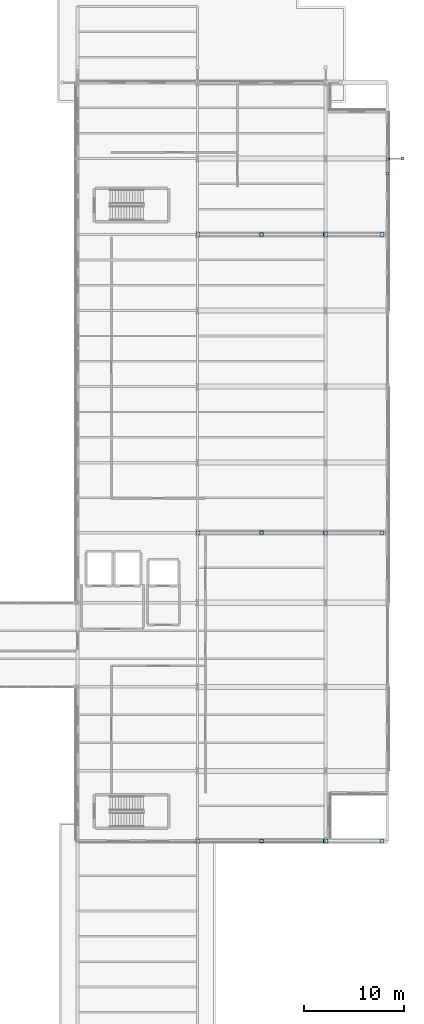
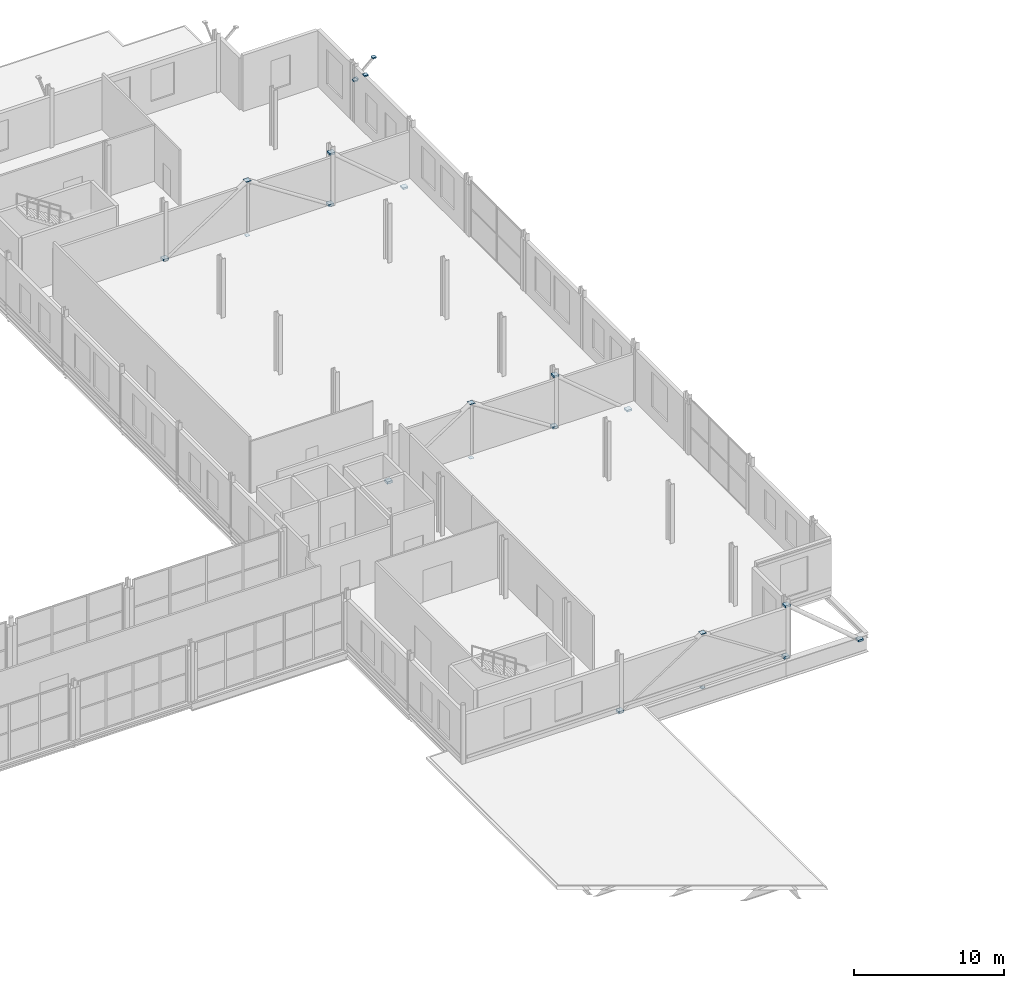
# One storey, part 90 of 120: 22 plates.
"""IFC4 building model written with IfcOpenShell, lengths in metres."""

from ifc_helpers import new_model, si_unit, direction, frame, origin, origin_2d, place, context, subcontext, project, spatial, rectangle, extrude, material, layer, layer_set, type_object, element, save


model = new_model("IFC4")

# Units and contexts
model_context = context("Model", 3, precision=1e-05, world=origin(), true_north=direction((0.0, 1.0)))
body_context = subcontext(model_context, "Body", "Model", "MODEL_VIEW")
ifc_project = project(units=[si_unit("LENGTHUNIT", "METRE"), si_unit("AREAUNIT", "SQUARE_METRE"), si_unit("VOLUMEUNIT", "CUBIC_METRE"), si_unit("PLANEANGLEUNIT", "RADIAN"), si_unit("MASSUNIT", "GRAM", prefix="KILO")], contexts=[model_context])

# Site, building, storey
site_placement = place(None, origin())
site = spatial("IfcSite", under=ifc_project, at=site_placement, CompositionType="ELEMENT")
building_placement = place(site_placement, origin())
building = spatial("IfcBuilding", under=site, at=building_placement, Name="Vekula Escarpment Museum", CompositionType="ELEMENT")
storey_placement = place(building_placement, frame((0.0, 0.0, 13.199951171875)))
storey = spatial("IfcBuildingStorey", under=building, at=storey_placement, Name="L03", CompositionType="ELEMENT", Elevation=13.199951171875)

# Plates
ifc_material_1 = material(Name="Steel S355", Category="steel")
ifc_layer_1 = layer(ifc_material_1, 0.01611328125)
ifc_layer_set_1 = layer_set([ifc_layer_1], Name="Steel S355")
plate_type_1 = type_object("IfcPlateType", Name="PL-CAP-16", PredefinedType="SHEET", material=ifc_layer_set_1)
for number, where, z_axis, x_axis, name in (
    (1, (185.39990234375, 52.60009765625, -0.315185546875), (0.0, 0.0, 1.0), (1.0, 0.0, 0.0), "Hollow section end cap CP-16"),
    (2, (185.39990234375, 83.39990234375, -0.315185546875), (0.0, 0.0, 1.0), (1.0, 0.0, 0.0), "Hollow section end cap CP-16"),
    (3, (185.39990234375, 113.199951171875, -0.315185546875), (0.0, 0.0, 1.0), (1.0, 0.0, 0.0), "Hollow section end cap CP-16"),
):
    element("IfcPlate", number, at=place(storey_placement, frame(where, z_axis=z_axis, x_axis=x_axis)), inside=storey, type_object=plate_type_1, Name=name, PredefinedType="SHEET", context=body_context, shape_type="SweptSolid", body=[
        extrude(rectangle(XDim=0.300048828125, YDim=0.300048828125, at=origin_2d()), origin(), (0.0, 0.0, 1.0), 0.01611328125),
    ])
for number, where, z_axis, x_axis, name in (
    (4, (198.11474609375, 120.800048828125, 3.294189453125), (0.0, 0.0, 1.0), (1.0, 0.0, 0.0), "Hollow section end cap CP-16"),
    (5, (199.50537109375, 120.800048828125, 4.56396484375), (0.0, 0.0, 1.0), (1.0, 0.0, 0.0), "Hollow section end cap CP-16"),
    (6, (198.0, 120.685302734375, 3.294189453125), (0.0, 0.0, 1.0), (1.0, 0.0, 0.0), "Hollow section end cap CP-16"),
    (7, (198.0, 119.294677734375, 4.56396484375), (0.0, 0.0, 1.0), (1.0, 0.0, 0.0), "Hollow section end cap CP-16"),
):
    element("IfcPlate", number, at=place(storey_placement, frame(where, z_axis=z_axis, x_axis=x_axis)), inside=storey, type_object=plate_type_1, Name=name, PredefinedType="SHEET", context=body_context, shape_type="SweptSolid", body=[
        extrude(rectangle(XDim=0.280029296875, YDim=0.280029296875, at=origin_2d()), origin(), (0.0, 0.0, 1.0), 0.10205078125),
    ])
ifc_material_2 = material(Name="Steel S355", Category="steel")
ifc_layer_2 = layer(ifc_material_2, 0.02001953125)
ifc_layer_set_2 = layer_set([ifc_layer_2], Name="Steel S355")
plate_type_2 = type_object("IfcPlateType", Name="PL-CAP-20", PredefinedType="SHEET", material=ifc_layer_set_2)
for number, where, z_axis, x_axis, name in (
    (8, (191.84326171875, 52.60009765625, 4.08056640625), (0.0, 0.0, 1.0), (1.0, 0.0, 0.0), "Hollow section end cap CP-20"),
    (9, (197.456787109375, 52.60009765625, -0.68115234375), (0.0, 0.0, 1.0), (1.0, 0.0, 0.0), "Hollow section end cap CP-20"),
):
    element("IfcPlate", number, at=place(storey_placement, frame(where, z_axis=z_axis, x_axis=x_axis)), inside=storey, type_object=plate_type_2, Name=name, PredefinedType="SHEET", context=body_context, shape_type="SweptSolid", body=[
        extrude(rectangle(XDim=0.389892578125, YDim=0.389892578125, at=origin_2d()), origin(), (0.0, 0.0, 1.0), 0.150634765625),
    ])
for number, where, z_axis, x_axis, name in (
    (10, (179.04248046875, 52.60009765625, -0.0791015625), (0.0, 0.0, 1.0), (1.0, 0.0, 0.0), "Hollow section end cap CP-20"),
    (11, (191.757568359375, 52.60009765625, -0.0791015625), (0.0, 0.0, 1.0), (1.0, 0.0, 0.0), "Hollow section end cap CP-20"),
):
    element("IfcPlate", number, at=place(storey_placement, frame(where, z_axis=z_axis, x_axis=x_axis)), inside=storey, type_object=plate_type_2, Name=name, PredefinedType="SHEET", context=body_context, shape_type="SweptSolid", body=[
        extrude(rectangle(XDim=0.389892578125, YDim=0.389892578125, at=origin_2d()), origin(), (0.0, 0.0, 1.0), 0.188232421875),
    ])
for number, where, z_axis, x_axis, name in (
    (12, (191.84326171875, 83.39990234375, 4.08056640625), (0.0, 0.0, 1.0), (1.0, 0.0, 0.0), "Hollow section end cap CP-20"),
    (13, (197.456787109375, 83.39990234375, -0.68115234375), (0.0, 0.0, 1.0), (1.0, 0.0, 0.0), "Hollow section end cap CP-20"),
):
    element("IfcPlate", number, at=place(storey_placement, frame(where, z_axis=z_axis, x_axis=x_axis)), inside=storey, type_object=plate_type_2, Name=name, PredefinedType="SHEET", context=body_context, shape_type="SweptSolid", body=[
        extrude(rectangle(XDim=0.389892578125, YDim=0.389892578125, at=origin_2d()), origin(), (0.0, 0.0, 1.0), 0.150634765625),
    ])
for number, where, z_axis, x_axis, name in (
    (14, (179.04248046875, 83.39990234375, -0.0791015625), (0.0, 0.0, 1.0), (1.0, 0.0, 0.0), "Hollow section end cap CP-20"),
    (15, (191.757568359375, 83.39990234375, -0.0791015625), (0.0, 0.0, 1.0), (1.0, 0.0, 0.0), "Hollow section end cap CP-20"),
):
    element("IfcPlate", number, at=place(storey_placement, frame(where, z_axis=z_axis, x_axis=x_axis)), inside=storey, type_object=plate_type_2, Name=name, PredefinedType="SHEET", context=body_context, shape_type="SweptSolid", body=[
        extrude(rectangle(XDim=0.389892578125, YDim=0.389892578125, at=origin_2d()), origin(), (0.0, 0.0, 1.0), 0.188232421875),
    ])
for number, where, z_axis, x_axis, name in (
    (16, (191.84326171875, 113.199951171875, 4.08056640625), (0.0, 0.0, 1.0), (1.0, 0.0, 0.0), "Hollow section end cap CP-20"),
    (17, (197.456787109375, 113.199951171875, -0.68115234375), (0.0, 0.0, 1.0), (1.0, 0.0, 0.0), "Hollow section end cap CP-20"),
):
    element("IfcPlate", number, at=place(storey_placement, frame(where, z_axis=z_axis, x_axis=x_axis)), inside=storey, type_object=plate_type_2, Name=name, PredefinedType="SHEET", context=body_context, shape_type="SweptSolid", body=[
        extrude(rectangle(XDim=0.389892578125, YDim=0.389892578125, at=origin_2d()), origin(), (0.0, 0.0, 1.0), 0.150634765625),
    ])
for number, where, z_axis, x_axis, name in (
    (18, (179.04248046875, 113.199951171875, -0.0791015625), (0.0, 0.0, 1.0), (1.0, 0.0, 0.0), "Hollow section end cap CP-20"),
    (19, (191.757568359375, 113.199951171875, -0.0791015625), (0.0, 0.0, 1.0), (1.0, 0.0, 0.0), "Hollow section end cap CP-20"),
):
    element("IfcPlate", number, at=place(storey_placement, frame(where, z_axis=z_axis, x_axis=x_axis)), inside=storey, type_object=plate_type_2, Name=name, PredefinedType="SHEET", context=body_context, shape_type="SweptSolid", body=[
        extrude(rectangle(XDim=0.389892578125, YDim=0.389892578125, at=origin_2d()), origin(), (0.0, 0.0, 1.0), 0.188232421875),
    ])
ifc_material_3 = material(Name="Steel S355", Category="steel")
ifc_layer_3 = layer(ifc_material_3, 0.031982421875)
ifc_layer_set_3 = layer_set([ifc_layer_3], Name="Steel S355")
plate_type_3 = type_object("IfcPlateType", Name="PL-CAP-32", PredefinedType="SHEET", material=ifc_layer_set_3)
for number, where, z_axis, x_axis, name in (
    (20, (185.39990234375, 52.60009765625, 4.1484375), (0.0, 0.0, 1.0), (1.0, 0.0, 0.0), "Hollow section end cap GP-32"),
    (21, (185.39990234375, 83.39990234375, 4.1484375), (0.0, 0.0, 1.0), (1.0, 0.0, 0.0), "Hollow section end cap GP-32"),
    (22, (185.39990234375, 113.199951171875, 4.1484375), (0.0, 0.0, 1.0), (1.0, 0.0, 0.0), "Hollow section end cap GP-32"),
):
    element("IfcPlate", number, at=place(storey_placement, frame(where, z_axis=z_axis, x_axis=x_axis)), inside=storey, type_object=plate_type_3, Name=name, PredefinedType="SHEET", context=body_context, shape_type="SweptSolid", body=[
        extrude(rectangle(XDim=0.39990234375, YDim=0.39990234375, at=origin_2d()), origin(), (0.0, 0.0, 1.0), 0.031982421875),
    ])

save(model, "model.ifc")
